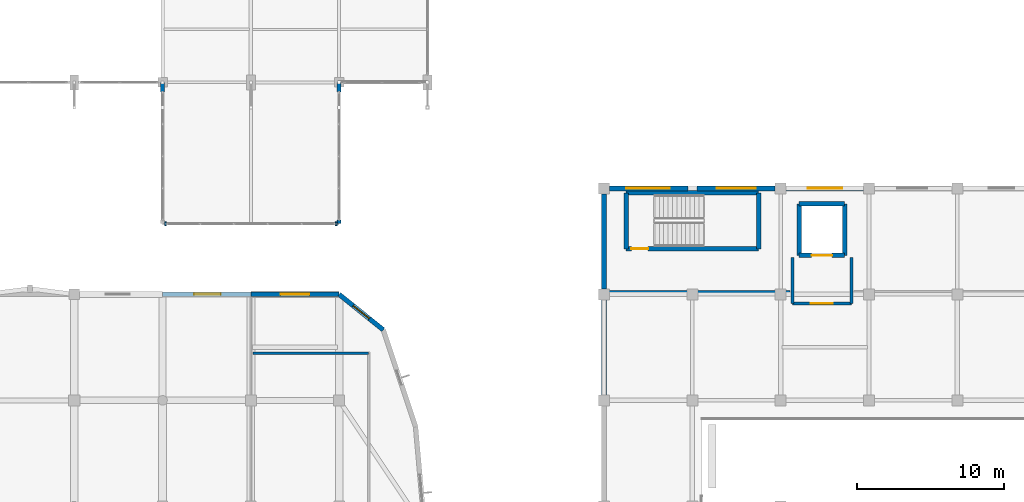
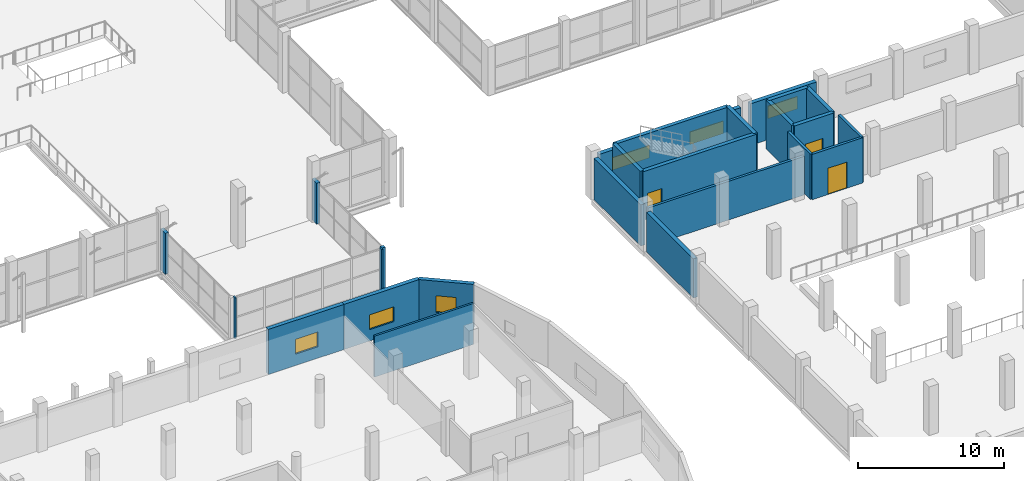
# One storey, part 108 of 127: 26 walls, 6 windows, 3 doors, 9 openings.
"""IFC4 building model written with IfcOpenShell, lengths in metres."""

from ifc_helpers import new_model, si_unit, direction, frame, frame_2d, origin, place, context, subcontext, project, spatial, rectangle, extrude, material, layer, layer_set, type_object, element, fill, save


model = new_model("IFC4")

# Units and contexts
model_context = context("Model", 3, precision=1e-05, world=origin(), true_north=direction((0.0, 1.0)))
body_context = subcontext(model_context, "Body", "Model", "MODEL_VIEW")
ifc_project = project(units=[si_unit("LENGTHUNIT", "METRE"), si_unit("AREAUNIT", "SQUARE_METRE"), si_unit("VOLUMEUNIT", "CUBIC_METRE"), si_unit("PLANEANGLEUNIT", "RADIAN"), si_unit("MASSUNIT", "GRAM", prefix="KILO")], contexts=[model_context])

# Site, building, storey
site_placement = place(None, origin())
site = spatial("IfcSite", under=ifc_project, at=site_placement, CompositionType="ELEMENT")
building_placement = place(site_placement, origin())
building = spatial("IfcBuilding", under=site, at=building_placement, Name="Dunvalen Ferry Terminal", CompositionType="ELEMENT")
storey_placement = place(building_placement, frame((0.0, 0.0, 5.760009765625)))
storey = spatial("IfcBuildingStorey", under=building, at=storey_placement, Name="L01", CompositionType="ELEMENT", Elevation=5.760009765625)

# Walls
ifc_material_1 = material(Name="Precast concrete C40/50", Category="concrete")
ifc_layer_1 = layer(ifc_material_1, 0.27001953125, Name="Precast concrete C40/50")
ifc_layer_set_1 = layer_set([ifc_layer_1], Name="Precast concrete C40/50")
wall_type_1 = type_object("IfcWallType", Name="ENV-WL-PAV270", PredefinedType="SOLIDWALL", material=ifc_layer_set_1)
for number, where, z_axis, x_axis, name in (
    (1, (78.0, 49.75, 0.0), (0.0, 0.0, 1.0), (0.0, 1.0, 0.0), "L01 Link Bridge North Pier Jamb 1"),
    (2, (90.0, 49.75, 0.0), (0.0, 0.0, 1.0), (0.0, 1.0, 0.0), "L01 Link Bridge North Pier Jamb 2"),
):
    element("IfcWall", number, at=place(storey_placement, frame(where, z_axis=z_axis, x_axis=x_axis)), inside=storey, type_object=wall_type_1, Name=name, PredefinedType="SOLIDWALL", context=body_context, shape_type="SweptSolid", body=[
        extrude(rectangle(XDim=0.64990234375, YDim=0.27001953125, at=frame_2d((0.324951171875, 0.0))), origin(), (0.0, 0.0, 1.0), 3.43994140625),
    ])
wall_1_placement = place(storey_placement, frame((90.0, 40.800048828125, 0.0), z_axis=(0.0, 0.0, 1.0), x_axis=(0.0, 1.0, 0.0)))
element("IfcWall", 3, at=wall_1_placement, inside=storey, type_object=wall_type_1, Name="L01 Link Bridge South Pier Jamb 2", PredefinedType="SOLIDWALL", context=body_context, shape_type="SweptSolid", body=[
    extrude(rectangle(XDim=0.25, YDim=0.27001953125, at=frame_2d((0.125, 0.0))), origin(), (0.0, 0.0, 1.0), 3.43994140625),
])
for number, where, z_axis, x_axis, name in (
    (4, (78.135009765625, 40.800048828125, 0.0), (0.0, 0.0, 1.0), (1.0, 0.0, 0.0), "L01 Link Bridge SW Corner Jamb"),
    (5, (89.75, 40.800048828125, 0.0), (0.0, 0.0, 1.0), (1.0, 0.0, 0.0), "L01 Link Bridge SE Corner Jamb"),
):
    element("IfcWall", number, at=place(storey_placement, frame(where, z_axis=z_axis, x_axis=x_axis)), inside=storey, type_object=wall_type_1, Name=name, PredefinedType="SOLIDWALL", context=body_context, shape_type="SweptSolid", body=[
        extrude(rectangle(XDim=0.114990234375, YDim=0.27001953125, at=frame_2d((0.0576171875, 0.0))), origin(), (0.0, 0.0, 1.0), 3.43994140625),
    ])

# Wall, opening, window
ifc_layer_2 = layer(ifc_material_1, 0.320068359375, Name="Precast concrete C40/50")
ifc_layer_set_2 = layer_set([ifc_layer_2], Name="Precast concrete C40/50")
wall_type_2 = type_object("IfcWallType", Name="ENV-WL-SPN320", PredefinedType="SOLIDWALL", material=ifc_layer_set_2)
wall_2_placement = place(storey_placement, frame((93.0, 33.58837890625, 0.0), z_axis=(0.0, 0.0, 1.0), x_axis=(-0.779393889884, 0.626534248395, 0.0)))
wall_2 = element("IfcWall", 6, at=wall_2_placement, inside=storey, type_object=wall_type_2, Name="L01 Streamline Moderne Facade Wall 07.01", PredefinedType="SOLIDWALL", context=body_context, shape_type="SweptSolid", body=[
    extrude(rectangle(XDim=3.84912109375, YDim=0.320068359375, at=frame_2d((1.924560546875, 0.0))), origin(), (0.0, 0.0, 1.0), 3.780029296875),
])
opening_1_placement = place(wall_2_placement, frame((1.224609375, 0.0, 1.14990234375)))
opening_1 = element("IfcOpeningElement", 7, at=opening_1_placement, cuts=wall_2, Name="Opening W-19", PredefinedType="OPENING", context=body_context, shape_type="SweptSolid", body=[
    extrude(rectangle(XDim=1.39990234375, YDim=1.39990234375, at=frame_2d((0.699951171875, 0.699951171875))), frame((0.0, 0.169921875, 0.0), z_axis=(0.0, -1.0, 0.0), x_axis=(1.0, 0.0, 0.0)), (0.0, 0.0, 1.0), 0.340087890625),
])
ifc_material_2 = material(Name="Thermally broken aluminium and double glazing", Category="aluminium")
window_type_1 = type_object("IfcWindowType", Name="ENV-WIN-PRT-19", PartitioningType="SINGLE_PANEL", PredefinedType="WINDOW", material=ifc_material_2)
window_1_placement = place(opening_1_placement, origin())
window_1 = element("IfcWindow", 8, at=window_1_placement, inside=storey, type_object=window_type_1, Name="L01 Streamline Ribbon Window 07.01", OverallHeight=1.39990234375, OverallWidth=1.39990234375, PartitioningType="SINGLE_PANEL", PredefinedType="WINDOW", context=body_context, shape_type="SweptSolid", body=[
    extrude(rectangle(XDim=1.39990234375, YDim=1.39990234375, at=frame_2d((0.699951171875, 0.699951171875))), frame((0.0, 0.030029296875, 0.0), z_axis=(0.0, -1.0, 0.0), x_axis=(1.0, 0.0, 0.0)), (0.0, 0.0, 1.0), 0.06005859375),
])
fill(opening_1, window_1)

wall_3_placement = place(storey_placement, frame((90.0, 36.0, 0.0), z_axis=(0.0, 0.0, 1.0), x_axis=(-1.0, 0.0, 0.0)))
wall_3 = element("IfcWall", 9, at=wall_3_placement, inside=storey, type_object=wall_type_2, Name="L01 Streamline Moderne Facade Wall 08.01", PredefinedType="SOLIDWALL", context=body_context, shape_type="SweptSolid", body=[
    extrude(rectangle(XDim=6.0, YDim=0.320068359375, at=frame_2d((3.0, 0.0))), origin(), (0.0, 0.0, 1.0), 3.780029296875),
])
opening_2_placement = place(wall_3_placement, frame((2.02490234375, 0.0, 0.949951171875)))
opening_2 = element("IfcOpeningElement", 10, at=opening_2_placement, cuts=wall_3, Name="Opening W-32", PredefinedType="OPENING", context=body_context, shape_type="SweptSolid", body=[
    extrude(rectangle(XDim=1.949951171875, YDim=1.25, at=frame_2d((0.97509765625, 0.625))), frame((0.0, 0.169921875, 0.0), z_axis=(0.0, -1.0, 0.0), x_axis=(1.0, 0.0, 0.0)), (0.0, 0.0, 1.0), 0.340087890625),
])
window_type_2 = type_object("IfcWindowType", Name="ENV-WIN-RIB-32", PartitioningType="SINGLE_PANEL", PredefinedType="WINDOW", material=ifc_material_2)
window_2_placement = place(opening_2_placement, origin())
window_2 = element("IfcWindow", 11, at=window_2_placement, inside=storey, type_object=window_type_2, Name="L01 Streamline Ribbon Window 08.01", OverallHeight=1.25, OverallWidth=1.949951171875, PartitioningType="SINGLE_PANEL", PredefinedType="WINDOW", context=body_context, shape_type="SweptSolid", body=[
    extrude(rectangle(XDim=1.949951171875, YDim=1.25, at=frame_2d((0.97509765625, 0.625))), frame((0.0, 0.030029296875, 0.0), z_axis=(0.0, -1.0, 0.0), x_axis=(1.0, 0.0, 0.0)), (0.0, 0.0, 1.0), 0.06005859375),
])
fill(opening_2, window_2)

wall_4_placement = place(storey_placement, frame((84.0, 36.0, 0.0), z_axis=(0.0, 0.0, 1.0), x_axis=(-1.0, 0.0, 0.0)))
wall_4 = element("IfcWall", 12, at=wall_4_placement, inside=storey, type_object=wall_type_2, Name="L01 Streamline Moderne Facade Wall 08.02", PredefinedType="SOLIDWALL", context=body_context, shape_type="SweptSolid", body=[
    extrude(rectangle(XDim=6.0, YDim=0.320068359375, at=frame_2d((3.0, 0.0))), origin(), (0.0, 0.0, 1.0), 3.780029296875),
])
opening_3_placement = place(wall_4_placement, frame((2.049072265625, 0.0, 0.949951171875)))
opening_3 = element("IfcOpeningElement", 13, at=opening_3_placement, cuts=wall_4, Name="Opening W-33", PredefinedType="OPENING", context=body_context, shape_type="SweptSolid", body=[
    extrude(rectangle(XDim=1.800048828125, YDim=1.25, at=frame_2d((0.89990234375, 0.625))), frame((0.0, 0.169921875, 0.0), z_axis=(0.0, -1.0, 0.0), x_axis=(1.0, 0.0, 0.0)), (0.0, 0.0, 1.0), 0.340087890625),
])
window_type_3 = type_object("IfcWindowType", Name="ENV-WIN-RIB-33", PartitioningType="SINGLE_PANEL", PredefinedType="WINDOW", material=ifc_material_2)
window_3_placement = place(opening_3_placement, origin())
window_3 = element("IfcWindow", 14, at=window_3_placement, inside=storey, type_object=window_type_3, Name="L01 Streamline Ribbon Window 08.02", OverallHeight=1.25, OverallWidth=1.800048828125, PartitioningType="SINGLE_PANEL", PredefinedType="WINDOW", context=body_context, shape_type="SweptSolid", body=[
    extrude(rectangle(XDim=1.800048828125, YDim=1.25, at=frame_2d((0.89990234375, 0.625))), frame((0.0, 0.030029296875, 0.0), z_axis=(0.0, -1.0, 0.0), x_axis=(1.0, 0.0, 0.0)), (0.0, 0.0, 1.0), 0.06005859375),
])
fill(opening_3, window_3)

# Walls
ifc_material_3 = material(Name="Concrete C40/50", Category="concrete")
ifc_layer_3 = layer(ifc_material_3, 0.330078125, Name="Concrete C40/50")
ifc_layer_set_3 = layer_set([ifc_layer_3], Name="Concrete C40/50")
wall_type_3 = type_object("IfcWallType", Name="ENV-WL-VEH330", PredefinedType="SOLIDWALL", material=ifc_layer_set_3)
wall_5_placement = place(storey_placement, frame((108.0, 29.177001953125, 0.0), z_axis=(0.0, 0.0, 1.0), x_axis=(0.0, 1.0, 0.0)))
element("IfcWall", 15, at=wall_5_placement, inside=storey, type_object=wall_type_3, Name="L01 Vehicle Marshalling W Portal Wall 05", PredefinedType="SOLIDWALL", context=body_context, shape_type="SweptSolid", body=[
    extrude(rectangle(XDim=6.446044921875, YDim=0.330078125, at=frame_2d((3.22314453125, 0.0))), origin(), (0.0, 0.0, 1.0), 3.2900390625),
])
wall_6_placement = place(storey_placement, frame((108.0, 36.376953125, 0.0), z_axis=(0.0, 0.0, 1.0), x_axis=(0.0, 1.0, 0.0)))
element("IfcWall", 16, at=wall_6_placement, inside=storey, type_object=wall_type_3, Name="L01 Vehicle Marshalling W Portal Wall 06", PredefinedType="SOLIDWALL", context=body_context, shape_type="SweptSolid", body=[
    extrude(rectangle(XDim=6.446044921875, YDim=0.330078125, at=frame_2d((3.22314453125, 0.0))), origin(), (0.0, 0.0, 1.0), 3.43994140625),
])

# Wall, opening, window
wall_7_placement = place(storey_placement, frame((108.376953125, 43.199951171875, 0.0), z_axis=(0.0, 0.0, 1.0), x_axis=(1.0, 0.0, 0.0)))
wall_7 = element("IfcWall", 17, at=wall_7_placement, inside=storey, type_object=wall_type_3, Name="L01 SPS Inspection North Wall 01", PredefinedType="SOLIDWALL", context=body_context, shape_type="SweptSolid", body=[
    extrude(rectangle(XDim=5.31298828125, YDim=0.330078125, at=frame_2d((2.656494140625, 0.0))), origin(), (0.0, 0.0, 1.0), 3.43994140625),
])
opening_4_placement = place(wall_7_placement, frame((1.130859375, 0.0, 1.64990234375)))
opening_4 = element("IfcOpeningElement", 18, at=opening_4_placement, cuts=wall_7, Name="Opening W-45", PredefinedType="OPENING", context=body_context, shape_type="SweptSolid", body=[
    extrude(rectangle(XDim=2.949951171875, YDim=1.050048828125, at=frame_2d((1.47509765625, 0.52490234375))), frame((0.0, 0.175048828125, 0.0), z_axis=(0.0, -1.0, 0.0), x_axis=(1.0, 0.0, 0.0)), (0.0, 0.0, 1.0), 0.35009765625),
])
window_type_4 = type_object("IfcWindowType", Name="ENV-WIN-SPS-45", PartitioningType="SINGLE_PANEL", PredefinedType="WINDOW", material=ifc_material_2)
window_4_placement = place(opening_4_placement, origin())
window_4 = element("IfcWindow", 19, at=window_4_placement, inside=storey, type_object=window_type_4, Name="L01 SPS Inspection Clerestory Window 1", OverallHeight=1.050048828125, OverallWidth=2.949951171875, PartitioningType="SINGLE_PANEL", PredefinedType="WINDOW", context=body_context, shape_type="SweptSolid", body=[
    extrude(rectangle(XDim=2.949951171875, YDim=1.050048828125, at=frame_2d((1.47509765625, 0.52490234375))), frame((0.0, 0.030029296875, 0.0), z_axis=(0.0, -1.0, 0.0), x_axis=(1.0, 0.0, 0.0)), (0.0, 0.0, 1.0), 0.06005859375),
])
fill(opening_4, window_4)

wall_8_placement = place(storey_placement, frame((114.31005859375, 43.199951171875, 0.0), z_axis=(0.0, 0.0, 1.0), x_axis=(1.0, 0.0, 0.0)))
wall_8 = element("IfcWall", 20, at=wall_8_placement, inside=storey, type_object=wall_type_3, Name="L01 SPS Inspection North Wall 02", PredefinedType="SOLIDWALL", context=body_context, shape_type="SweptSolid", body=[
    extrude(rectangle(XDim=5.31298828125, YDim=0.330078125, at=frame_2d((2.656494140625, 0.0))), origin(), (0.0, 0.0, 1.0), 3.43994140625),
])
opening_5_placement = place(wall_8_placement, frame((1.33154296875, 0.0, 1.64990234375)))
opening_5 = element("IfcOpeningElement", 21, at=opening_5_placement, cuts=wall_8, Name="Opening W-46", PredefinedType="OPENING", context=body_context, shape_type="SweptSolid", body=[
    extrude(rectangle(XDim=2.64990234375, YDim=1.050048828125, at=frame_2d((1.324951171875, 0.52490234375))), frame((0.0, 0.175048828125, 0.0), z_axis=(0.0, -1.0, 0.0), x_axis=(1.0, 0.0, 0.0)), (0.0, 0.0, 1.0), 0.35009765625),
])
window_type_5 = type_object("IfcWindowType", Name="ENV-WIN-SPS-46", PartitioningType="SINGLE_PANEL", PredefinedType="WINDOW", material=ifc_material_2)
window_5_placement = place(opening_5_placement, origin())
window_5 = element("IfcWindow", 22, at=window_5_placement, inside=storey, type_object=window_type_5, Name="L01 SPS Inspection Clerestory Window 2", OverallHeight=1.050048828125, OverallWidth=2.64990234375, PartitioningType="SINGLE_PANEL", PredefinedType="WINDOW", context=body_context, shape_type="SweptSolid", body=[
    extrude(rectangle(XDim=2.64990234375, YDim=1.050048828125, at=frame_2d((1.324951171875, 0.52490234375))), frame((0.0, 0.030029296875, 0.0), z_axis=(0.0, -1.0, 0.0), x_axis=(1.0, 0.0, 0.0)), (0.0, 0.0, 1.0), 0.06005859375),
])
fill(opening_5, window_5)

wall_9_placement = place(storey_placement, frame((120.376953125, 43.199951171875, 0.0), z_axis=(0.0, 0.0, 1.0), x_axis=(1.0, 0.0, 0.0)))
wall_9 = element("IfcWall", 23, at=wall_9_placement, inside=storey, type_object=wall_type_3, Name="L01 SPS Inspection North Wall 03", PredefinedType="SOLIDWALL", context=body_context, shape_type="SweptSolid", body=[
    extrude(rectangle(XDim=5.24609375, YDim=0.330078125, at=frame_2d((2.623046875, 0.0))), origin(), (0.0, 0.0, 1.0), 3.489990234375),
])
opening_6_placement = place(wall_9_placement, frame((1.447998046875, 0.0, 1.64990234375)))
opening_6 = element("IfcOpeningElement", 24, at=opening_6_placement, cuts=wall_9, Name="Opening W-47", PredefinedType="OPENING", context=body_context, shape_type="SweptSolid", body=[
    extrude(rectangle(XDim=2.35009765625, YDim=1.050048828125, at=frame_2d((1.175048828125, 0.52490234375))), frame((0.0, 0.175048828125, 0.0), z_axis=(0.0, -1.0, 0.0), x_axis=(1.0, 0.0, 0.0)), (0.0, 0.0, 1.0), 0.35009765625),
])
window_type_6 = type_object("IfcWindowType", Name="ENV-WIN-SPS-47", PartitioningType="SINGLE_PANEL", PredefinedType="WINDOW", material=ifc_material_2)
window_6_placement = place(opening_6_placement, origin())
window_6 = element("IfcWindow", 25, at=window_6_placement, inside=storey, type_object=window_type_6, Name="L01 SPS Inspection Clerestory Window 3", OverallHeight=1.050048828125, OverallWidth=2.35009765625, PartitioningType="SINGLE_PANEL", PredefinedType="WINDOW", context=body_context, shape_type="SweptSolid", body=[
    extrude(rectangle(XDim=2.35009765625, YDim=1.050048828125, at=frame_2d((1.175048828125, 0.52490234375))), frame((0.0, 0.030029296875, 0.0), z_axis=(0.0, -1.0, 0.0), x_axis=(1.0, 0.0, 0.0)), (0.0, 0.0, 1.0), 0.06005859375),
])
fill(opening_6, window_6)

# Wall
ifc_material_4 = material(Name="Autoclaved aerated concrete blockwork", Category="masonry")
ifc_layer_4 = layer(ifc_material_4, 0.199951171875, Name="Autoclaved aerated concrete blockwork")
ifc_layer_set_4 = layer_set([ifc_layer_4], Name="Autoclaved aerated concrete blockwork")
wall_type_4 = type_object("IfcWallType", Name="INT-WL-CMP200", PredefinedType="PARTITIONING", material=ifc_layer_set_4)
wall_10_placement = place(storey_placement, frame((120.7900390625, 38.510009765625, 0.0), z_axis=(0.0, 0.0, 1.0), x_axis=(0.0, -1.0, 0.0)))
element("IfcWall", 26, at=wall_10_placement, inside=storey, type_object=wall_type_4, Name="L01 L01 Lift Lobby LG-02 Partition 1", PredefinedType="PARTITIONING", context=body_context, shape_type="SweptSolid", body=[
    extrude(rectangle(XDim=3.1201171875, YDim=0.199951171875, at=frame_2d((1.56005859375, 0.0))), origin(), (0.0, 0.0, 1.0), 3.800048828125),
])

# Wall, opening, door
wall_11_placement = place(storey_placement, frame((120.7900390625, 35.389892578125, 0.0), z_axis=(0.0, 0.0, 1.0), x_axis=(1.0, 0.0, 0.0)))
wall_11 = element("IfcWall", 27, at=wall_11_placement, inside=storey, type_object=wall_type_4, Name="L01 L01 Lift Lobby LG-02 Partition 2", PredefinedType="PARTITIONING", context=body_context, shape_type="SweptSolid", body=[
    extrude(rectangle(XDim=4.02001953125, YDim=0.199951171875, at=frame_2d((2.010009765625, 0.0))), origin(), (0.0, 0.0, 1.0), 3.800048828125),
])
opening_7_placement = place(wall_11_placement, frame((1.260009765625, 0.0, 0.0)))
opening_7 = element("IfcOpeningElement", 28, at=opening_7_placement, cuts=wall_11, Name="Opening ID-04", PredefinedType="OPENING", context=body_context, shape_type="SweptSolid", body=[
    extrude(rectangle(XDim=1.5, YDim=2.199951171875, at=frame_2d((0.75, 1.10009765625))), frame((0.0, 0.10986328125, 0.0), z_axis=(0.0, -1.0, 0.0), x_axis=(1.0, 0.0, 0.0)), (0.0, 0.0, 1.0), 0.219970703125),
])
ifc_material_5 = material(Name="Anodised aluminium glazed fire door", Category="aluminium")
door_type_1 = type_object("IfcDoorType", Name="INT-DR-LOB-1500", OperationType="DOUBLE_SWING_LEFT", PredefinedType="DOOR", material=ifc_material_5)
door_1_placement = place(opening_7_placement, origin())
door_1 = element("IfcDoor", 29, at=door_1_placement, inside=storey, type_object=door_type_1, Name="L01 Lift Lobby LG-02 Door", OperationType="DOUBLE_SWING_LEFT", OverallHeight=2.199951171875, OverallWidth=1.5, PredefinedType="DOOR", context=body_context, shape_type="SweptSolid", body=[
    extrude(rectangle(XDim=1.5, YDim=2.199951171875, at=frame_2d((0.75, 1.10009765625))), frame((0.0, 0.02490234375, 0.0), z_axis=(0.0, -1.0, 0.0), x_axis=(1.0, 0.0, 0.0)), (0.0, 0.0, 1.0), 0.050048828125),
])
fill(opening_7, door_1)

# Walls
wall_12_placement = place(storey_placement, frame((124.81005859375, 35.389892578125, 0.0), z_axis=(0.0, 0.0, 1.0), x_axis=(0.0, 1.0, 0.0)))
element("IfcWall", 30, at=wall_12_placement, inside=storey, type_object=wall_type_4, Name="L01 L01 Lift Lobby LG-02 Partition 3", PredefinedType="PARTITIONING", context=body_context, shape_type="SweptSolid", body=[
    extrude(rectangle(XDim=3.1201171875, YDim=0.199951171875, at=frame_2d((1.56005859375, 0.0))), origin(), (0.0, 0.0, 1.0), 3.800048828125),
])
wall_13_placement = place(storey_placement, frame((108.219970703125, 36.159912109375, 0.0), z_axis=(0.0, 0.0, 1.0), x_axis=(1.0, 0.0, 0.0)))
element("IfcWall", 31, at=wall_13_placement, inside=storey, type_object=wall_type_4, Name="L01 L01 Upper Freight Customs and SPS Inspection Bays Partition 8", PredefinedType="PARTITIONING", context=body_context, shape_type="SweptSolid", body=[
    extrude(rectangle(XDim=12.409912109375, YDim=0.199951171875, at=frame_2d((6.205078125, 0.0))), origin(), (0.0, 0.0, 1.0), 3.239990234375),
])
ifc_material_6 = material(Name="Moisture-resistant tile-backer partition", Category="gypsum")
ifc_layer_5 = layer(ifc_material_6, 0.159912109375, Name="Moisture-resistant tile-backer partition")
ifc_layer_set_5 = layer_set([ifc_layer_5], Name="Moisture-resistant tile-backer partition")
wall_type_5 = type_object("IfcWallType", Name="INT-WL-PRT160", PredefinedType="PARTITIONING", material=ifc_layer_set_5)
wall_14_placement = place(storey_placement, frame((92.0, 32.0, 0.0), z_axis=(0.0, 0.0, 1.0), x_axis=(-1.0, 0.0, 0.0)))
element("IfcWall", 32, at=wall_14_placement, inside=storey, type_object=wall_type_5, Name="L01 L01 Crew Staff and Accessible Toilets Partition 7", PredefinedType="PARTITIONING", context=body_context, shape_type="SweptSolid", body=[
    extrude(rectangle(XDim=7.840087890625, YDim=0.159912109375, at=frame_2d((3.919921875, 0.0))), origin(), (0.0, 0.0, 1.0), 3.43994140625),
])
ifc_layer_6 = layer(ifc_material_3, 0.300048828125, Name="Concrete C40/50")
ifc_layer_set_6 = layer_set([ifc_layer_6], Name="Concrete C40/50")
wall_type_6 = type_object("IfcWallType", Name="STR-WL-SHR300", PredefinedType="SHEAR", material=ifc_layer_set_6)
for number, where, z_axis, x_axis, name in (
    (33, (109.5, 39.10009765625, 0.0), (0.0, 0.0, 1.0), (0.0, 1.0, 0.0), "L01 ST4 Core West Shear Wall"),
    (34, (118.5, 39.10009765625, 0.0), (0.0, 0.0, 1.0), (0.0, 1.0, 0.0), "L01 ST4 Core East Shear Wall"),
):
    element("IfcWall", number, at=place(storey_placement, frame(where, z_axis=z_axis, x_axis=x_axis)), inside=storey, type_object=wall_type_6, Name=name, PredefinedType="SHEAR", context=body_context, shape_type="SweptSolid", body=[
        extrude(rectangle(XDim=3.7998046875, YDim=0.300048828125, at=frame_2d((1.89990234375, 0.0))), origin(), (0.0, 0.0, 1.0), 4.080078125),
    ])
wall_15_placement = place(storey_placement, frame((109.5, 42.89990234375, 0.0), z_axis=(0.0, 0.0, 1.0), x_axis=(1.0, 0.0, 0.0)))
element("IfcWall", 35, at=wall_15_placement, inside=storey, type_object=wall_type_6, Name="L01 ST4 Core North Shear Wall", PredefinedType="SHEAR", context=body_context, shape_type="SweptSolid", body=[
    extrude(rectangle(XDim=9.0, YDim=0.300048828125, at=frame_2d((4.5, 0.0))), origin(), (0.0, 0.0, 1.0), 4.080078125),
])

# Wall, opening, door
wall_16_placement = place(storey_placement, frame((109.5, 39.10009765625, 0.0), z_axis=(0.0, 0.0, 1.0), x_axis=(1.0, 0.0, 0.0)))
wall_16 = element("IfcWall", 36, at=wall_16_placement, inside=storey, type_object=wall_type_6, Name="L01 ST4 Core South Shear Wall", PredefinedType="SHEAR", context=body_context, shape_type="SweptSolid", body=[
    extrude(rectangle(XDim=9.0, YDim=0.300048828125, at=frame_2d((4.5, 0.0))), origin(), (0.0, 0.0, 1.0), 4.080078125),
])
opening_8_placement = place(wall_16_placement, frame((0.35009765625, 0.0, 0.0)))
opening_8 = element("IfcOpeningElement", 37, at=opening_8_placement, cuts=wall_16, Name="Opening ID-02", PredefinedType="OPENING", context=body_context, shape_type="SweptSolid", body=[
    extrude(rectangle(XDim=1.14990234375, YDim=2.14990234375, at=frame_2d((0.574951171875, 1.074951171875))), frame((0.0, 0.16015625, 0.0), z_axis=(0.0, -1.0, 0.0), x_axis=(1.0, 0.0, 0.0)), (0.0, 0.0, 1.0), 0.320068359375),
])
ifc_material_7 = material(Name="Powder-coated steel fire door", Category="steel")
door_type_2 = type_object("IfcDoorType", Name="INT-DR-STR-1150", OperationType="NOTDEFINED", PredefinedType="DOOR", material=ifc_material_7)
door_2_placement = place(opening_8_placement, frame((1.14990234375, 0.0, 0.0), z_axis=(0.0, 0.0, 1.0), x_axis=(-1.0, 0.0, 0.0)))
door_2 = element("IfcDoor", 38, at=door_2_placement, inside=storey, type_object=door_type_2, Name="L01 ST4 Escape Stair Fire Door", OperationType="SINGLE_SWING_RIGHT", OverallHeight=2.14990234375, OverallWidth=1.14990234375, PredefinedType="DOOR", context=body_context, shape_type="SweptSolid", body=[
    extrude(rectangle(XDim=1.14990234375, YDim=2.14990234375, at=frame_2d((0.574951171875, 1.074951171875))), frame((0.0, 0.02490234375, 0.0), z_axis=(0.0, -1.0, 0.0), x_axis=(1.0, 0.0, 0.0)), (0.0, 0.0, 1.0), 0.050048828125),
])
fill(opening_8, door_2)

wall_17_placement = place(storey_placement, frame((121.25, 38.64990234375, 0.0), z_axis=(0.0, 0.0, 1.0), x_axis=(1.0, 0.0, 0.0)))
wall_17 = element("IfcWall", 39, at=wall_17_placement, inside=storey, type_object=wall_type_6, Name="L01 LG-02 Lift Shaft S Wall", PredefinedType="SHEAR", context=body_context, shape_type="SweptSolid", body=[
    extrude(rectangle(XDim=3.10009765625, YDim=0.300048828125, at=frame_2d((1.550048828125, 0.0))), origin(), (0.0, 0.0, 1.0), 4.080078125),
])
opening_9_placement = place(wall_17_placement, frame((0.85009765625, 0.0, 0.0)))
opening_9 = element("IfcOpeningElement", 40, at=opening_9_placement, cuts=wall_17, Name="Opening LD-03", PredefinedType="OPENING", context=body_context, shape_type="SweptSolid", body=[
    extrude(rectangle(XDim=1.39990234375, YDim=2.25, at=frame_2d((0.699951171875, 1.125))), frame((0.0, 0.16015625, 0.0), z_axis=(0.0, -1.0, 0.0), x_axis=(1.0, 0.0, 0.0)), (0.0, 0.0, 1.0), 0.320068359375),
])
ifc_material_8 = material(Name="Brushed 316 stainless steel", Category="steel")
door_type_3 = type_object("IfcDoorType", Name="INT-DR-LFT-1400", OperationType="SLIDING_TO_LEFT", PredefinedType="DOOR", material=ifc_material_8)
door_3_placement = place(opening_9_placement, origin())
door_3 = element("IfcDoor", 41, at=door_3_placement, inside=storey, type_object=door_type_3, Name="L01 LG-02 Lift Sliding Landing Door", OperationType="SLIDING_TO_LEFT", OverallHeight=2.25, OverallWidth=1.39990234375, PredefinedType="DOOR", context=body_context, shape_type="SweptSolid", body=[
    extrude(rectangle(XDim=1.39990234375, YDim=2.25, at=frame_2d((0.699951171875, 1.125))), frame((0.0, 0.02490234375, 0.0), z_axis=(0.0, -1.0, 0.0), x_axis=(1.0, 0.0, 0.0)), (0.0, 0.0, 1.0), 0.050048828125),
])
fill(opening_9, door_3)

# Walls
wall_18_placement = place(storey_placement, frame((121.25, 42.14990234375, 0.0), z_axis=(0.0, 0.0, 1.0), x_axis=(1.0, 0.0, 0.0)))
element("IfcWall", 42, at=wall_18_placement, inside=storey, type_object=wall_type_6, Name="L01 LG-02 Lift Shaft N Wall", PredefinedType="SHEAR", context=body_context, shape_type="SweptSolid", body=[
    extrude(rectangle(XDim=3.10009765625, YDim=0.300048828125, at=frame_2d((1.550048828125, 0.0))), origin(), (0.0, 0.0, 1.0), 4.080078125),
])
for number, where, z_axis, x_axis, name in (
    (43, (121.25, 38.64990234375, 0.0), (0.0, 0.0, 1.0), (0.0, 1.0, 0.0), "L01 LG-02 Lift Shaft W Wall"),
    (44, (124.35009765625, 38.64990234375, 0.0), (0.0, 0.0, 1.0), (0.0, 1.0, 0.0), "L01 LG-02 Lift Shaft E Wall"),
):
    element("IfcWall", number, at=place(storey_placement, frame(where, z_axis=z_axis, x_axis=x_axis)), inside=storey, type_object=wall_type_6, Name=name, PredefinedType="SHEAR", context=body_context, shape_type="SweptSolid", body=[
        extrude(rectangle(XDim=3.5, YDim=0.300048828125, at=frame_2d((1.75, 0.0))), origin(), (0.0, 0.0, 1.0), 4.080078125),
    ])

save(model, "model.ifc")
